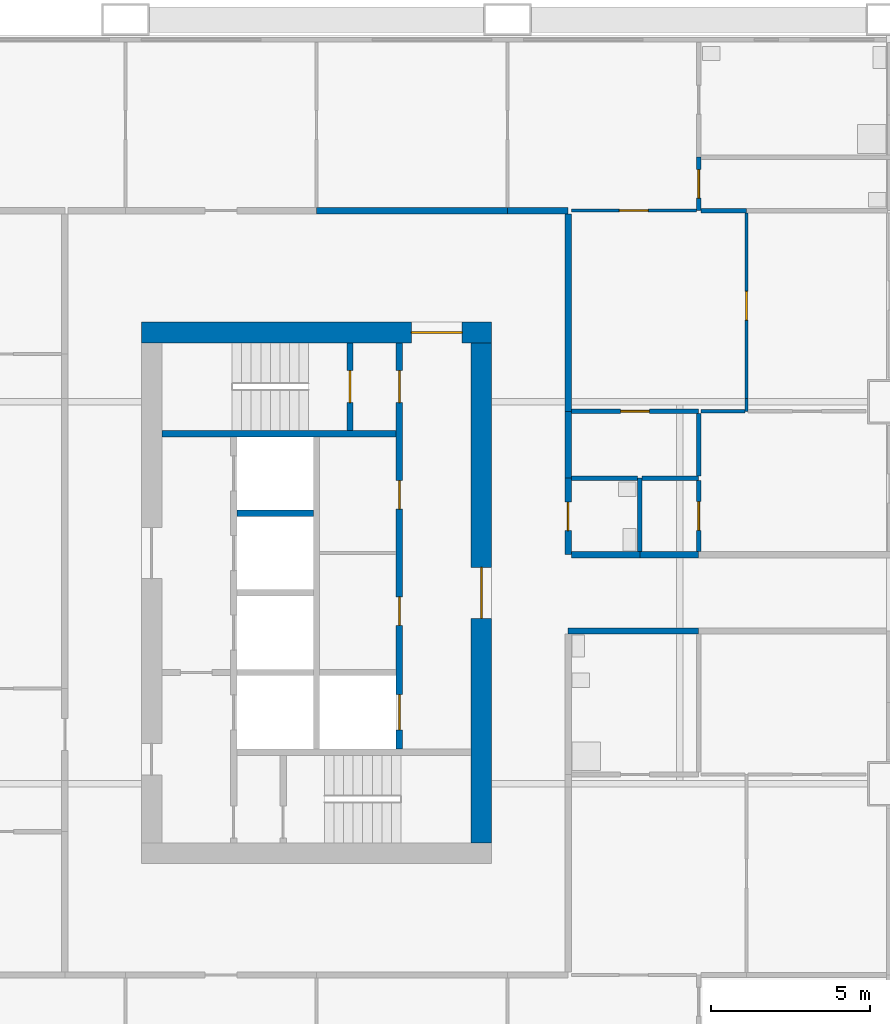
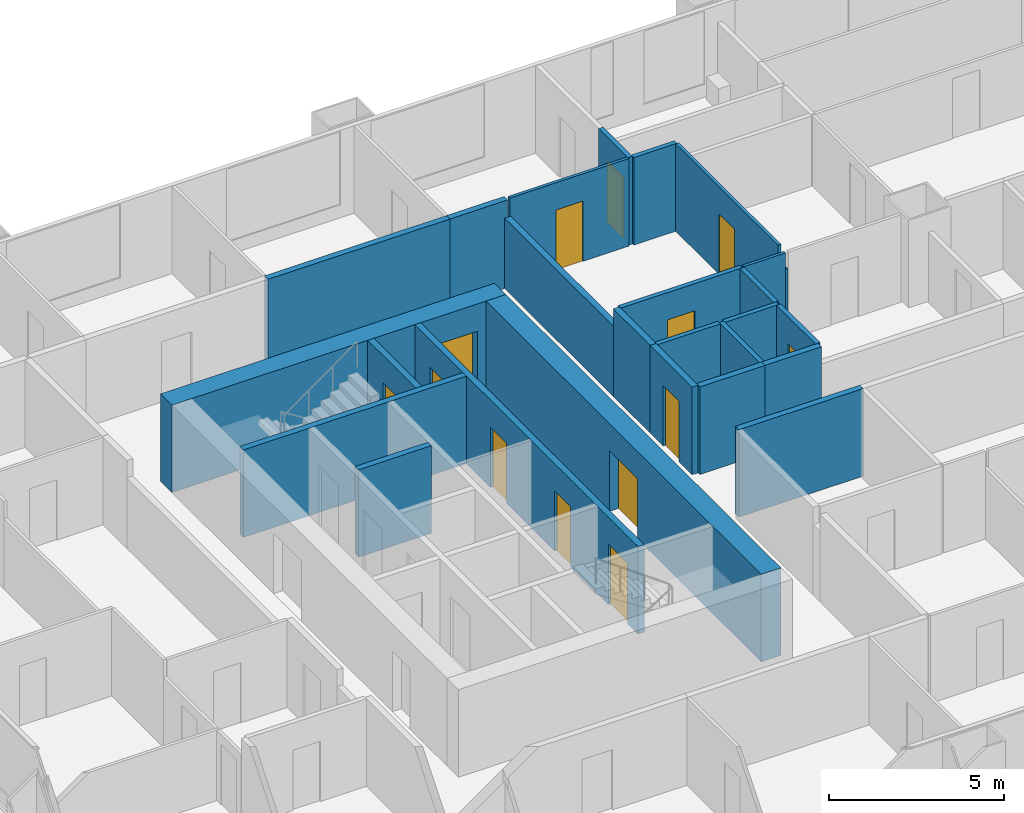
# One storey, part 4 of 11: 26 walls, 13 doors, 13 openings.
"""IFC4 building model written with IfcOpenShell, lengths in metres."""

from ifc_helpers import new_model, si_unit, direction, frame, frame_2d, origin, place, context, subcontext, project, spatial, rectangle, extrude, material, layer, layer_set, type_object, element, fill, save


model = new_model("IFC4")

# Units and contexts
model_context = context("Model", 3, precision=1e-05, world=origin(), true_north=direction((0.0, 1.0)))
body_context = subcontext(model_context, "Body", "Model", "MODEL_VIEW")
ifc_project = project(units=[si_unit("LENGTHUNIT", "METRE"), si_unit("AREAUNIT", "SQUARE_METRE"), si_unit("VOLUMEUNIT", "CUBIC_METRE"), si_unit("PLANEANGLEUNIT", "RADIAN"), si_unit("MASSUNIT", "GRAM", prefix="KILO")], contexts=[model_context])

# Site, building, storey
site_placement = place(None, origin())
site = spatial("IfcSite", under=ifc_project, at=site_placement, CompositionType="ELEMENT")
building_placement = place(site_placement, origin())
building = spatial("IfcBuilding", under=site, at=building_placement, Name="Kitamizu Gate Tower and Museum", CompositionType="ELEMENT")
storey_placement = place(building_placement, frame((0.0, 0.0, 103.5)))
storey = spatial("IfcBuildingStorey", under=building, at=storey_placement, Name="L26", CompositionType="ELEMENT", Elevation=103.5)

# Wall, opening, door
ifc_material_1 = material(Name="Concrete Fc60", Category="concrete")
ifc_layer_1 = layer(ifc_material_1, 0.64990234375)
ifc_layer_set_1 = layer_set([ifc_layer_1], Name="Concrete Fc60")
wall_type_1 = type_object("IfcWallType", Name="Core wall 650", PredefinedType="SHEAR", material=ifc_layer_set_1)
wall_1_placement = place(storey_placement, frame((12.5, 38.175048828125, 0.0), z_axis=(0.0, 0.0, 1.0), x_axis=(1.0, 0.0, 0.0)))
wall_1 = element("IfcWall", 1, at=wall_1_placement, inside=storey, type_object=wall_type_1, Name="Core wall WN", PredefinedType="SHEAR", context=body_context, shape_type="SweptSolid", body=[
    extrude(rectangle(XDim=11.0, YDim=0.64990234375, at=frame_2d((5.5, 0.0))), origin(), (0.0, 0.0, 1.0), 3.050048828125),
])
opening_1_placement = place(wall_1_placement, frame((8.47509765625, 0.0, 0.0)))
opening_1 = element("IfcOpeningElement", 2, at=opening_1_placement, cuts=wall_1, Name="Opening L26-063", PredefinedType="OPENING", context=body_context, shape_type="SweptSolid", body=[
    extrude(rectangle(XDim=1.60009765625, YDim=2.10009765625, at=frame_2d((0.800048828125, 1.050048828125))), frame((0.0, 0.3349609375, 0.0), z_axis=(0.0, -1.0, 0.0), x_axis=(1.0, 0.0, 0.0)), (0.0, 0.0, 1.0), 0.669921875),
])
ifc_material_2 = material(Name="Timber door set", Category="wood")
door_type_1 = type_object("IfcDoorType", Name="Entrance door 1600", OperationType="DOUBLE_DOOR_SINGLE_SWING", PredefinedType="DOOR", material=ifc_material_2)
door_1_placement = place(opening_1_placement, origin())
door_1 = element("IfcDoor", 3, at=door_1_placement, inside=storey, type_object=door_type_1, Name="Lobby door L26-063", OperationType="DOUBLE_DOOR_SINGLE_SWING", OverallHeight=2.10009765625, OverallWidth=1.60009765625, PredefinedType="DOOR", context=body_context, shape_type="SweptSolid", body=[
    extrude(rectangle(XDim=1.60009765625, YDim=2.10009765625, at=frame_2d((0.800048828125, 1.050048828125))), frame((0.0, 0.02490234375, 0.0), z_axis=(0.0, -1.0, 0.0), x_axis=(1.0, 0.0, 0.0)), (0.0, 0.0, 1.0), 0.050048828125),
])
fill(opening_1, door_1)

wall_2_placement = place(storey_placement, frame((23.175048828125, 22.14990234375, 0.0), z_axis=(0.0, 0.0, 1.0), x_axis=(0.0, 1.0, 0.0)))
wall_2 = element("IfcWall", 4, at=wall_2_placement, inside=storey, type_object=wall_type_1, Name="Core wall WARC", PredefinedType="SHEAR", context=body_context, shape_type="SweptSolid", body=[
    extrude(rectangle(XDim=15.7001953125, YDim=0.64990234375, at=frame_2d((7.85009765625, 0.0))), origin(), (0.0, 0.0, 1.0), 3.050048828125),
])
opening_2_placement = place(wall_2_placement, frame((7.050048828125, 0.0, 0.0)))
opening_2 = element("IfcOpeningElement", 5, at=opening_2_placement, cuts=wall_2, Name="Opening L26-064", PredefinedType="OPENING", context=body_context, shape_type="SweptSolid", body=[
    extrude(rectangle(XDim=1.60009765625, YDim=2.10009765625, at=frame_2d((0.800048828125, 1.050048828125))), frame((0.0, 0.3349609375, 0.0), z_axis=(0.0, -1.0, 0.0), x_axis=(1.0, 0.0, 0.0)), (0.0, 0.0, 1.0), 0.669921875),
])
door_2_placement = place(opening_2_placement, origin())
door_2 = element("IfcDoor", 6, at=door_2_placement, inside=storey, type_object=door_type_1, Name="Lobby door L26-064", OperationType="DOUBLE_DOOR_SINGLE_SWING", OverallHeight=2.10009765625, OverallWidth=1.60009765625, PredefinedType="DOOR", context=body_context, shape_type="SweptSolid", body=[
    extrude(rectangle(XDim=1.60009765625, YDim=2.10009765625, at=frame_2d((0.800048828125, 1.050048828125))), frame((0.0, 0.02490234375, 0.0), z_axis=(0.0, -1.0, 0.0), x_axis=(1.0, 0.0, 0.0)), (0.0, 0.0, 1.0), 0.050048828125),
])
fill(opening_2, door_2)

ifc_material_3 = material(Name="Gypsum board on galvanised stud")
ifc_layer_2 = layer(ifc_material_3, 0.10009765625)
ifc_layer_set_2 = layer_set([ifc_layer_2], Name="Gypsum board on galvanised stud")
wall_type_2 = type_object("IfcWallType", Name="Partition 100 NOT RATED", PredefinedType="PARTITIONING", material=ifc_layer_set_2)
wall_3_placement = place(storey_placement, frame((26.0, 42.0, 0.0), z_axis=(0.0, 0.0, 1.0), x_axis=(1.0, 0.0, 0.0)))
wall_3 = element("IfcWall", 7, at=wall_3_placement, inside=storey, type_object=wall_type_2, Name="Partition L26-101", PredefinedType="PARTITIONING", context=body_context, shape_type="SweptSolid", body=[
    extrude(rectangle(XDim=3.925048828125, YDim=0.10009765625, at=frame_2d((1.96240234375, 0.0))), origin(), (0.0, 0.0, 1.0), 3.050048828125),
])
opening_3_placement = place(wall_3_placement, frame((1.512451171875, 0.0, 0.0)))
opening_3 = element("IfcOpeningElement", 8, at=opening_3_placement, cuts=wall_3, Name="Opening L26-042", PredefinedType="OPENING", context=body_context, shape_type="SweptSolid", body=[
    extrude(rectangle(XDim=0.89990234375, YDim=2.10009765625, at=frame_2d((0.449951171875, 1.050048828125))), frame((0.0, 0.06005859375, 0.0), z_axis=(0.0, -1.0, 0.0), x_axis=(1.0, 0.0, 0.0)), (0.0, 0.0, 1.0), 0.1201171875),
])
ifc_material_4 = material(Name="Timber door set", Category="wood")
door_type_2 = type_object("IfcDoorType", Name="Room door 900", OperationType="NOTDEFINED", PredefinedType="DOOR", material=ifc_material_4)
door_3_placement = place(opening_3_placement, origin())
door_3 = element("IfcDoor", 9, at=door_3_placement, inside=storey, type_object=door_type_2, Name="Door L26-042", OperationType="SINGLE_SWING_RIGHT", OverallHeight=2.10009765625, OverallWidth=0.89990234375, PredefinedType="DOOR", context=body_context, shape_type="SweptSolid", body=[
    extrude(rectangle(XDim=0.89990234375, YDim=2.10009765625, at=frame_2d((0.449951171875, 1.050048828125))), frame((0.0, 0.02490234375, 0.0), z_axis=(0.0, -1.0, 0.0), x_axis=(1.0, 0.0, 0.0)), (0.0, 0.0, 1.0), 0.050048828125),
])
fill(opening_3, door_3)

# Wall
wall_4_placement = place(storey_placement, frame((31.5, 35.699951171875, 0.0), z_axis=(0.0, 0.0, 1.0), x_axis=(0.0, 1.0, 0.0)))
element("IfcWall", 10, at=wall_4_placement, inside=storey, type_object=wall_type_2, Name="Partition L26-117", PredefinedType="PARTITIONING", context=body_context, shape_type="SweptSolid", body=[
    extrude(rectangle(XDim=0.400146484375, YDim=0.10009765625, at=frame_2d((0.2001953125, 0.0))), origin(), (0.0, 0.0, 1.0), 2.449951171875),
])

# Wall, opening, door
wall_5_placement = place(storey_placement, frame((31.5, 36.10009765625, 0.0), z_axis=(0.0, 0.0, 1.0), x_axis=(0.0, 1.0, 0.0)))
wall_5 = element("IfcWall", 11, at=wall_5_placement, inside=storey, type_object=wall_type_2, Name="Partition L26-118", PredefinedType="PARTITIONING", context=body_context, shape_type="SweptSolid", body=[
    extrude(rectangle(XDim=5.824951171875, YDim=0.10009765625, at=frame_2d((2.91259765625, 0.0))), origin(), (0.0, 0.0, 1.0), 3.050048828125),
])
opening_4_placement = place(wall_5_placement, frame((2.46240234375, 0.0, 0.0)))
opening_4 = element("IfcOpeningElement", 12, at=opening_4_placement, cuts=wall_5, Name="Opening L26-043", PredefinedType="OPENING", context=body_context, shape_type="SweptSolid", body=[
    extrude(rectangle(XDim=0.89990234375, YDim=2.10009765625, at=frame_2d((0.449951171875, 1.050048828125))), frame((0.0, 0.06005859375, 0.0), z_axis=(0.0, -1.0, 0.0), x_axis=(1.0, 0.0, 0.0)), (0.0, 0.0, 1.0), 0.1201171875),
])
door_4_placement = place(opening_4_placement, frame((0.89990234375, 0.0, 0.0), x_axis=(-1.0, 0.0, 0.0)))
door_4 = element("IfcDoor", 13, at=door_4_placement, inside=storey, type_object=door_type_2, Name="Door L26-043", OperationType="SINGLE_SWING_RIGHT", OverallHeight=2.10009765625, OverallWidth=0.89990234375, PredefinedType="DOOR", context=body_context, shape_type="SweptSolid", body=[
    extrude(rectangle(XDim=0.89990234375, YDim=2.10009765625, at=frame_2d((0.449951171875, 1.050048828125))), frame((0.0, 0.02490234375, 0.0), z_axis=(0.0, -1.0, 0.0), x_axis=(1.0, 0.0, 0.0)), (0.0, 0.0, 1.0), 0.050048828125),
])
fill(opening_4, door_4)

# Wall
wall_6_placement = place(storey_placement, frame((30.074951171875, 35.699951171875, 0.0), z_axis=(0.0, 0.0, 1.0), x_axis=(1.0, 0.0, 0.0)))
element("IfcWall", 14, at=wall_6_placement, inside=storey, type_object=wall_type_2, Name="Partition L26-120", PredefinedType="PARTITIONING", context=body_context, shape_type="SweptSolid", body=[
    extrude(rectangle(XDim=1.375, YDim=0.10009765625, at=frame_2d((0.6875, 0.0))), origin(), (0.0, 0.0, 1.0), 3.050048828125),
])

# Wall, opening, door
ifc_material_5 = material(Name="Gypsum board on galvanised stud")
ifc_layer_3 = layer(ifc_material_5, 0.14990234375)
ifc_layer_set_3 = layer_set([ifc_layer_3], Name="Gypsum board on galvanised stud")
wall_type_3 = type_object("IfcWallType", Name="Partition 150", PredefinedType="PARTITIONING", material=ifc_layer_set_3)
wall_7_placement = place(storey_placement, frame((30.0, 42.0, 0.0), z_axis=(0.0, 0.0, 1.0), x_axis=(0.0, 1.0, 0.0)))
wall_7 = element("IfcWall", 15, at=wall_7_placement, inside=storey, type_object=wall_type_3, Name="Partition L26-100", PredefinedType="PARTITIONING", context=body_context, shape_type="SweptSolid", body=[
    extrude(rectangle(XDim=1.679931640625, YDim=0.14990234375, at=frame_2d((0.83984375, 0.0))), origin(), (0.0, 0.0, 1.0), 3.050048828125),
])
opening_5_placement = place(wall_7_placement, frame((0.389892578125, 0.0, 0.0)))
opening_5 = element("IfcOpeningElement", 16, at=opening_5_placement, cuts=wall_7, Name="Opening L26-041", PredefinedType="OPENING", context=body_context, shape_type="SweptSolid", body=[
    extrude(rectangle(XDim=0.89990234375, YDim=2.10009765625, at=frame_2d((0.449951171875, 1.050048828125))), frame((0.0, 0.0849609375, 0.0), z_axis=(0.0, -1.0, 0.0), x_axis=(1.0, 0.0, 0.0)), (0.0, 0.0, 1.0), 0.169921875),
])
ifc_material_6 = material(Name="Timber door set", Category="wood")
door_type_3 = type_object("IfcDoorType", Name="Bathroom door 900", OperationType="NOTDEFINED", PredefinedType="DOOR", material=ifc_material_6)
door_5_placement = place(opening_5_placement, frame((0.89990234375, 0.0, 0.0), x_axis=(-1.0, 0.0, 0.0)))
door_5 = element("IfcDoor", 17, at=door_5_placement, inside=storey, type_object=door_type_3, Name="Bathroom door L26-041", OperationType="SINGLE_SWING_RIGHT", OverallHeight=2.10009765625, OverallWidth=0.89990234375, PredefinedType="DOOR", context=body_context, shape_type="SweptSolid", body=[
    extrude(rectangle(XDim=0.89990234375, YDim=2.10009765625, at=frame_2d((0.449951171875, 1.050048828125))), frame((0.0, 0.02490234375, 0.0), z_axis=(0.0, -1.0, 0.0), x_axis=(1.0, 0.0, 0.0)), (0.0, 0.0, 1.0), 0.050048828125),
])
fill(opening_5, door_5)

# Wall
wall_8_placement = place(storey_placement, frame((30.074951171875, 42.0, 0.0), z_axis=(0.0, 0.0, 1.0), x_axis=(1.0, 0.0, 0.0)))
element("IfcWall", 18, at=wall_8_placement, inside=storey, type_object=wall_type_3, Name="Partition L26-107", PredefinedType="PARTITIONING", context=body_context, shape_type="SweptSolid", body=[
    extrude(rectangle(XDim=1.425048828125, YDim=0.14990234375, at=frame_2d((0.71240234375, 0.0))), origin(), (0.0, 0.0, 1.0), 3.050048828125),
])

# Wall, opening, door
wall_9_placement = place(storey_placement, frame((26.0, 35.699951171875, 0.0), z_axis=(0.0, 0.0, 1.0), x_axis=(1.0, 0.0, 0.0)))
wall_9 = element("IfcWall", 19, at=wall_9_placement, inside=storey, type_object=wall_type_3, Name="Partition L26-119", PredefinedType="PARTITIONING", context=body_context, shape_type="SweptSolid", body=[
    extrude(rectangle(XDim=4.0, YDim=0.14990234375, at=frame_2d((2.0, 0.0))), origin(), (0.0, 0.0, 1.0), 3.050048828125),
])
opening_6_placement = place(wall_9_placement, frame((1.550048828125, 0.0, 0.0)))
opening_6 = element("IfcOpeningElement", 20, at=opening_6_placement, cuts=wall_9, Name="Opening L26-044", PredefinedType="OPENING", context=body_context, shape_type="SweptSolid", body=[
    extrude(rectangle(XDim=0.89990234375, YDim=2.10009765625, at=frame_2d((0.449951171875, 1.050048828125))), frame((0.0, 0.0849609375, 0.0), z_axis=(0.0, -1.0, 0.0), x_axis=(1.0, 0.0, 0.0)), (0.0, 0.0, 1.0), 0.169921875),
])
door_6_placement = place(opening_6_placement, frame((0.89990234375, 0.0, 0.0), x_axis=(-1.0, 0.0, 0.0)))
door_6 = element("IfcDoor", 21, at=door_6_placement, inside=storey, type_object=door_type_3, Name="Bathroom door L26-044", OperationType="SINGLE_SWING_LEFT", OverallHeight=2.10009765625, OverallWidth=0.89990234375, PredefinedType="DOOR", context=body_context, shape_type="SweptSolid", body=[
    extrude(rectangle(XDim=0.89990234375, YDim=2.10009765625, at=frame_2d((0.449951171875, 1.050048828125))), frame((0.0, 0.02490234375, 0.0), z_axis=(0.0, -1.0, 0.0), x_axis=(1.0, 0.0, 0.0)), (0.0, 0.0, 1.0), 0.050048828125),
])
fill(opening_6, door_6)

# Walls
wall_10_placement = place(storey_placement, frame((28.14990234375, 31.300048828125, 0.0), z_axis=(0.0, 0.0, 1.0), x_axis=(0.0, 1.0, 0.0)))
element("IfcWall", 22, at=wall_10_placement, inside=storey, type_object=wall_type_3, Name="Partition L26-124", PredefinedType="PARTITIONING", context=body_context, shape_type="SweptSolid", body=[
    extrude(rectangle(XDim=2.300048828125, YDim=0.14990234375, at=frame_2d((1.14990234375, 0.0))), origin(), (0.0, 0.0, 1.0), 3.050048828125),
])
wall_11_placement = place(storey_placement, frame((28.074951171875, 33.60009765625, 0.0), z_axis=(0.0, 0.0, 1.0), x_axis=(-1.0, 0.0, 0.0)))
element("IfcWall", 23, at=wall_11_placement, inside=storey, type_object=wall_type_3, Name="Partition L26-125", PredefinedType="PARTITIONING", context=body_context, shape_type="SweptSolid", body=[
    extrude(rectangle(XDim=2.074951171875, YDim=0.14990234375, at=frame_2d((1.03759765625, 0.0))), origin(), (0.0, 0.0, 1.0), 3.050048828125),
])
wall_12_placement = place(storey_placement, frame((30.0, 33.60009765625, 0.0), z_axis=(0.0, 0.0, 1.0), x_axis=(-1.0, 0.0, 0.0)))
element("IfcWall", 24, at=wall_12_placement, inside=storey, type_object=wall_type_3, Name="Partition L26-128", PredefinedType="PARTITIONING", context=body_context, shape_type="SweptSolid", body=[
    extrude(rectangle(XDim=1.77490234375, YDim=0.14990234375, at=frame_2d((0.887451171875, 0.0))), origin(), (0.0, 0.0, 1.0), 3.050048828125),
])

# Wall, opening, door
wall_13_placement = place(storey_placement, frame((30.0, 31.300048828125, 0.0), z_axis=(0.0, 0.0, 1.0), x_axis=(0.0, 1.0, 0.0)))
wall_13 = element("IfcWall", 25, at=wall_13_placement, inside=storey, type_object=wall_type_3, Name="Partition L26-129", PredefinedType="PARTITIONING", context=body_context, shape_type="SweptSolid", body=[
    extrude(rectangle(XDim=2.224853515625, YDim=0.14990234375, at=frame_2d((1.1123046875, 0.0))), origin(), (0.0, 0.0, 1.0), 3.050048828125),
])
opening_7_placement = place(wall_13_placement, frame((0.66259765625, 0.0, 0.0)))
opening_7 = element("IfcOpeningElement", 26, at=opening_7_placement, cuts=wall_13, Name="Opening L26-054", PredefinedType="OPENING", context=body_context, shape_type="SweptSolid", body=[
    extrude(rectangle(XDim=0.89990234375, YDim=2.10009765625, at=frame_2d((0.449951171875, 1.050048828125))), frame((0.0, 0.0849609375, 0.0), z_axis=(0.0, -1.0, 0.0), x_axis=(1.0, 0.0, 0.0)), (0.0, 0.0, 1.0), 0.169921875),
])
door_7_placement = place(opening_7_placement, origin())
door_7 = element("IfcDoor", 27, at=door_7_placement, inside=storey, type_object=door_type_3, Name="Bathroom door L26-054", OperationType="SINGLE_SWING_RIGHT", OverallHeight=2.10009765625, OverallWidth=0.89990234375, PredefinedType="DOOR", context=body_context, shape_type="SweptSolid", body=[
    extrude(rectangle(XDim=0.89990234375, YDim=2.10009765625, at=frame_2d((0.449951171875, 1.050048828125))), frame((0.0, 0.02490234375, 0.0), z_axis=(0.0, -1.0, 0.0), x_axis=(1.0, 0.0, 0.0)), (0.0, 0.0, 1.0), 0.050048828125),
])
fill(opening_7, door_7)

# Walls
wall_14_placement = place(storey_placement, frame((30.0, 33.675048828125, 0.0), z_axis=(0.0, 0.0, 1.0), x_axis=(0.0, 1.0, 0.0)))
element("IfcWall", 28, at=wall_14_placement, inside=storey, type_object=wall_type_3, Name="Partition L26-131", PredefinedType="PARTITIONING", context=body_context, shape_type="SweptSolid", body=[
    extrude(rectangle(XDim=1.949951171875, YDim=0.14990234375, at=frame_2d((0.97509765625, 0.0))), origin(), (0.0, 0.0, 1.0), 3.050048828125),
])
ifc_material_7 = material(Name="Gypsum board on galvanised stud")
ifc_layer_4 = layer(ifc_material_7, 0.199951171875)
ifc_layer_set_4 = layer_set([ifc_layer_4], Name="Gypsum board on galvanised stud")
wall_type_4 = type_object("IfcWallType", Name="Partition 200", PredefinedType="PARTITIONING", material=ifc_layer_set_4)
wall_15_placement = place(storey_placement, frame((30.0, 28.800048828125, 0.0), z_axis=(0.0, 0.0, 1.0), x_axis=(-1.0, 0.0, 0.0)))
element("IfcWall", 29, at=wall_15_placement, inside=storey, type_object=wall_type_4, Name="Partition L26-025", PredefinedType="PARTITIONING", context=body_context, shape_type="SweptSolid", body=[
    extrude(rectangle(XDim=4.10009765625, YDim=0.199951171875, at=frame_2d((2.050048828125, 0.0))), origin(), (0.0, 0.0, 1.0), 3.050048828125),
])
wall_16_placement = place(storey_placement, frame((18.0, 42.0, 0.0), z_axis=(0.0, 0.0, 1.0), x_axis=(1.0, 0.0, 0.0)))
element("IfcWall", 30, at=wall_16_placement, inside=storey, type_object=wall_type_4, Name="Partition L26-098", PredefinedType="PARTITIONING", context=body_context, shape_type="SweptSolid", body=[
    extrude(rectangle(XDim=6.0, YDim=0.199951171875, at=frame_2d((3.0, 0.0))), origin(), (0.0, 0.0, 1.0), 3.050048828125),
])
wall_17_placement = place(storey_placement, frame((24.0, 42.0, 0.0), z_axis=(0.0, 0.0, 1.0), x_axis=(1.0, 0.0, 0.0)))
element("IfcWall", 31, at=wall_17_placement, inside=storey, type_object=wall_type_4, Name="Partition L26-102", PredefinedType="PARTITIONING", context=body_context, shape_type="SweptSolid", body=[
    extrude(rectangle(XDim=1.89990234375, YDim=0.199951171875, at=frame_2d((0.949951171875, 0.0))), origin(), (0.0, 0.0, 1.0), 3.050048828125),
])
wall_18_placement = place(storey_placement, frame((25.89990234375, 41.89990234375, 0.0), z_axis=(0.0, 0.0, 1.0), x_axis=(0.0, -1.0, 0.0)))
element("IfcWall", 32, at=wall_18_placement, inside=storey, type_object=wall_type_4, Name="Partition L26-121", PredefinedType="PARTITIONING", context=body_context, shape_type="SweptSolid", body=[
    extrude(rectangle(XDim=6.199951171875, YDim=0.199951171875, at=frame_2d((3.10009765625, 0.0))), origin(), (0.0, 0.0, 1.0), 2.449951171875),
])

# Wall, opening, door
wall_19_placement = place(storey_placement, frame((25.89990234375, 33.60009765625, 0.0), z_axis=(0.0, 0.0, 1.0), x_axis=(0.0, -1.0, 0.0)))
wall_19 = element("IfcWall", 33, at=wall_19_placement, inside=storey, type_object=wall_type_4, Name="Partition L26-126", PredefinedType="PARTITIONING", context=body_context, shape_type="SweptSolid", body=[
    extrude(rectangle(XDim=2.400146484375, YDim=0.199951171875, at=frame_2d((1.2001953125, 0.0))), origin(), (0.0, 0.0, 1.0), 3.050048828125),
])
opening_8_placement = place(wall_19_placement, frame((0.75, 0.0, 0.0)))
opening_8 = element("IfcOpeningElement", 34, at=opening_8_placement, cuts=wall_19, Name="Opening L26-055", PredefinedType="OPENING", context=body_context, shape_type="SweptSolid", body=[
    extrude(rectangle(XDim=0.89990234375, YDim=2.10009765625, at=frame_2d((0.449951171875, 1.050048828125))), frame((0.0, 0.10986328125, 0.0), z_axis=(0.0, -1.0, 0.0), x_axis=(1.0, 0.0, 0.0)), (0.0, 0.0, 1.0), 0.219970703125),
])
ifc_material_8 = material(Name="Timber door set", Category="wood")
door_type_4 = type_object("IfcDoorType", Name="Store door 900", OperationType="NOTDEFINED", PredefinedType="DOOR", material=ifc_material_8)
door_8_placement = place(opening_8_placement, origin())
door_8 = element("IfcDoor", 35, at=door_8_placement, inside=storey, type_object=door_type_4, Name="Service entrance door L26-055", OperationType="SINGLE_SWING_LEFT", OverallHeight=2.10009765625, OverallWidth=0.89990234375, PredefinedType="DOOR", context=body_context, shape_type="SweptSolid", body=[
    extrude(rectangle(XDim=0.89990234375, YDim=2.10009765625, at=frame_2d((0.449951171875, 1.050048828125))), frame((0.0, 0.02490234375, 0.0), z_axis=(0.0, -1.0, 0.0), x_axis=(1.0, 0.0, 0.0)), (0.0, 0.0, 1.0), 0.050048828125),
])
fill(opening_8, door_8)

# Walls
wall_20_placement = place(storey_placement, frame((26.0, 31.199951171875, 0.0), z_axis=(0.0, 0.0, 1.0), x_axis=(1.0, 0.0, 0.0)))
element("IfcWall", 36, at=wall_20_placement, inside=storey, type_object=wall_type_4, Name="Partition L26-127", PredefinedType="PARTITIONING", context=body_context, shape_type="SweptSolid", body=[
    extrude(rectangle(XDim=2.14990234375, YDim=0.199951171875, at=frame_2d((1.074951171875, 0.0))), origin(), (0.0, 0.0, 1.0), 3.050048828125),
])
wall_21_placement = place(storey_placement, frame((28.14990234375, 31.199951171875, 0.0), z_axis=(0.0, 0.0, 1.0), x_axis=(1.0, 0.0, 0.0)))
element("IfcWall", 37, at=wall_21_placement, inside=storey, type_object=wall_type_4, Name="Partition L26-130", PredefinedType="PARTITIONING", context=body_context, shape_type="SweptSolid", body=[
    extrude(rectangle(XDim=1.85009765625, YDim=0.199951171875, at=frame_2d((0.925048828125, 0.0))), origin(), (0.0, 0.0, 1.0), 3.050048828125),
])
wall_22_placement = place(storey_placement, frame((25.89990234375, 35.699951171875, 0.0), z_axis=(0.0, 0.0, 1.0), x_axis=(0.0, -1.0, 0.0)))
element("IfcWall", 38, at=wall_22_placement, inside=storey, type_object=wall_type_4, Name="Partition L26-132", PredefinedType="PARTITIONING", context=body_context, shape_type="SweptSolid", body=[
    extrude(rectangle(XDim=2.099853515625, YDim=0.199951171875, at=frame_2d((1.0498046875, 0.0))), origin(), (0.0, 0.0, 1.0), 3.050048828125),
])

# Wall, openings, doors
ifc_material_9 = material(Name="Concrete Fc42", Category="concrete")
ifc_layer_5 = layer(ifc_material_9, 0.199951171875)
ifc_layer_set_5 = layer_set([ifc_layer_5], Name="Concrete Fc42")
wall_type_5 = type_object("IfcWallType", Name="Shaft wall 200", PredefinedType="SOLIDWALL", material=ifc_layer_set_5)
wall_23_placement = place(storey_placement, frame((20.60009765625, 25.10009765625, 0.0), z_axis=(0.0, 0.0, 1.0), x_axis=(0.0, 1.0, 0.0)))
wall_23 = element("IfcWall", 39, at=wall_23_placement, inside=storey, type_object=wall_type_5, Name="Shaft wall WEAST", PredefinedType="SOLIDWALL", context=body_context, shape_type="SweptSolid", body=[
    extrude(rectangle(XDim=12.75, YDim=0.199951171875, at=frame_2d((6.375, 0.0))), origin(), (0.0, 0.0, 1.0), 3.050048828125),
])
opening_9_placement = place(wall_23_placement, frame((0.60009765625, 0.0, 0.0)))
opening_9 = element("IfcOpeningElement", 40, at=opening_9_placement, cuts=wall_23, Name="Opening LD", PredefinedType="OPENING", context=body_context, shape_type="SweptSolid", body=[
    extrude(rectangle(XDim=1.10009765625, YDim=2.10009765625, at=frame_2d((0.550048828125, 1.050048828125))), frame((0.0, 0.10986328125, 0.0), z_axis=(0.0, -1.0, 0.0), x_axis=(1.0, 0.0, 0.0)), (0.0, 0.0, 1.0), 0.219970703125),
])
opening_10_placement = place(wall_23_placement, frame((10.875, 0.0, 0.0)))
opening_10 = element("IfcOpeningElement", 41, at=opening_10_placement, cuts=wall_23, Name="Opening L26-058", PredefinedType="OPENING", context=body_context, shape_type="SweptSolid", body=[
    extrude(rectangle(XDim=1.0, YDim=2.10009765625, at=frame_2d((0.5, 1.050048828125))), frame((0.0, 0.10986328125, 0.0), z_axis=(0.0, -1.0, 0.0), x_axis=(1.0, 0.0, 0.0)), (0.0, 0.0, 1.0), 0.219970703125),
])
opening_11_placement = place(wall_23_placement, frame((3.875, 0.0, 0.0)))
opening_11 = element("IfcOpeningElement", 42, at=opening_11_placement, cuts=wall_23, Name="Opening L26-065", PredefinedType="OPENING", context=body_context, shape_type="SweptSolid", body=[
    extrude(rectangle(XDim=0.89990234375, YDim=2.10009765625, at=frame_2d((0.449951171875, 1.050048828125))), frame((0.0, 0.10986328125, 0.0), z_axis=(0.0, -1.0, 0.0), x_axis=(1.0, 0.0, 0.0)), (0.0, 0.0, 1.0), 0.219970703125),
])
opening_12_placement = place(wall_23_placement, frame((7.52490234375, 0.0, 0.0)))
opening_12 = element("IfcOpeningElement", 43, at=opening_12_placement, cuts=wall_23, Name="Opening L26-066", PredefinedType="OPENING", context=body_context, shape_type="SweptSolid", body=[
    extrude(rectangle(XDim=0.89990234375, YDim=2.10009765625, at=frame_2d((0.449951171875, 1.050048828125))), frame((0.0, 0.10986328125, 0.0), z_axis=(0.0, -1.0, 0.0), x_axis=(1.0, 0.0, 0.0)), (0.0, 0.0, 1.0), 0.219970703125),
])
ifc_material_10 = material(Name="Hollow metal door set")
door_type_5 = type_object("IfcDoorType", Name="Fire door 1000", OperationType="NOTDEFINED", PredefinedType="DOOR", material=ifc_material_10)
door_9_placement = place(opening_10_placement, origin())
door_9 = element("IfcDoor", 44, at=door_9_placement, inside=storey, type_object=door_type_5, Name="Stair lobby door L26-058", OperationType="SINGLE_SWING_RIGHT", OverallHeight=2.10009765625, OverallWidth=1.0, PredefinedType="DOOR", context=body_context, shape_type="SweptSolid", body=[
    extrude(rectangle(XDim=1.0, YDim=2.10009765625, at=frame_2d((0.5, 1.050048828125))), frame((0.0, 0.02490234375, 0.0), z_axis=(0.0, -1.0, 0.0), x_axis=(1.0, 0.0, 0.0)), (0.0, 0.0, 1.0), 0.050048828125),
])
fill(opening_10, door_9)
ifc_material_11 = material(Name="Hollow metal door set")
door_type_6 = type_object("IfcDoorType", Name="Landing door 1100", OperationType="SLIDING_TO_LEFT", PredefinedType="DOOR", material=ifc_material_11)
door_10_placement = place(opening_9_placement, origin())
door_10 = element("IfcDoor", 45, at=door_10_placement, inside=storey, type_object=door_type_6, Name="Landing door WSV1", OperationType="SLIDING_TO_LEFT", OverallHeight=2.10009765625, OverallWidth=1.10009765625, PredefinedType="DOOR", context=body_context, shape_type="SweptSolid", body=[
    extrude(rectangle(XDim=1.10009765625, YDim=2.10009765625, at=frame_2d((0.550048828125, 1.050048828125))), frame((0.0, 0.02490234375, 0.0), z_axis=(0.0, -1.0, 0.0), x_axis=(1.0, 0.0, 0.0)), (0.0, 0.0, 1.0), 0.050048828125),
])
fill(opening_9, door_10)
ifc_material_12 = material(Name="Timber door set", Category="wood")
door_type_7 = type_object("IfcDoorType", Name="Service door 900", OperationType="NOTDEFINED", PredefinedType="DOOR", material=ifc_material_12)
door_11_placement = place(opening_11_placement, origin())
door_11 = element("IfcDoor", 46, at=door_11_placement, inside=storey, type_object=door_type_7, Name="Service door L26-065", OperationType="SINGLE_SWING_RIGHT", OverallHeight=2.10009765625, OverallWidth=0.89990234375, PredefinedType="DOOR", context=body_context, shape_type="SweptSolid", body=[
    extrude(rectangle(XDim=0.89990234375, YDim=2.10009765625, at=frame_2d((0.449951171875, 1.050048828125))), frame((0.0, 0.02490234375, 0.0), z_axis=(0.0, -1.0, 0.0), x_axis=(1.0, 0.0, 0.0)), (0.0, 0.0, 1.0), 0.050048828125),
])
fill(opening_11, door_11)
door_12_placement = place(opening_12_placement, origin())
door_12 = element("IfcDoor", 47, at=door_12_placement, inside=storey, type_object=door_type_7, Name="Service door L26-066", OperationType="SINGLE_SWING_LEFT", OverallHeight=2.10009765625, OverallWidth=0.89990234375, PredefinedType="DOOR", context=body_context, shape_type="SweptSolid", body=[
    extrude(rectangle(XDim=0.89990234375, YDim=2.10009765625, at=frame_2d((0.449951171875, 1.050048828125))), frame((0.0, 0.02490234375, 0.0), z_axis=(0.0, -1.0, 0.0), x_axis=(1.0, 0.0, 0.0)), (0.0, 0.0, 1.0), 0.050048828125),
])
fill(opening_12, door_12)

# Wall
wall_24_placement = place(storey_placement, frame((13.14990234375, 35.0, 0.0), z_axis=(0.0, 0.0, 1.0), x_axis=(1.0, 0.0, 0.0)))
element("IfcWall", 48, at=wall_24_placement, inside=storey, type_object=wall_type_5, Name="Shaft wall WNB", PredefinedType="SOLIDWALL", context=body_context, shape_type="SweptSolid", body=[
    extrude(rectangle(XDim=7.35009765625, YDim=0.199951171875, at=frame_2d((3.675048828125, 0.0))), origin(), (0.0, 0.0, 1.0), 3.050048828125),
])

# Wall, opening, door
wall_25_placement = place(storey_placement, frame((19.050048828125, 35.10009765625, 0.0), z_axis=(0.0, 0.0, 1.0), x_axis=(0.0, 1.0, 0.0)))
wall_25 = element("IfcWall", 49, at=wall_25_placement, inside=storey, type_object=wall_type_5, Name="Shaft wall WNZ", PredefinedType="SOLIDWALL", context=body_context, shape_type="SweptSolid", body=[
    extrude(rectangle(XDim=2.75, YDim=0.199951171875, at=frame_2d((1.375, 0.0))), origin(), (0.0, 0.0, 1.0), 3.050048828125),
])
opening_13_placement = place(wall_25_placement, frame((0.875, 0.0, 0.0)))
opening_13 = element("IfcOpeningElement", 50, at=opening_13_placement, cuts=wall_25, Name="Opening L26-059", PredefinedType="OPENING", context=body_context, shape_type="SweptSolid", body=[
    extrude(rectangle(XDim=1.0, YDim=2.10009765625, at=frame_2d((0.5, 1.050048828125))), frame((0.0, 0.10986328125, 0.0), z_axis=(0.0, -1.0, 0.0), x_axis=(1.0, 0.0, 0.0)), (0.0, 0.0, 1.0), 0.219970703125),
])
door_13_placement = place(opening_13_placement, origin())
door_13 = element("IfcDoor", 51, at=door_13_placement, inside=storey, type_object=door_type_5, Name="Stair door L26-059", OperationType="SINGLE_SWING_LEFT", OverallHeight=2.10009765625, OverallWidth=1.0, PredefinedType="DOOR", context=body_context, shape_type="SweptSolid", body=[
    extrude(rectangle(XDim=1.0, YDim=2.10009765625, at=frame_2d((0.5, 1.050048828125))), frame((0.0, 0.02490234375, 0.0), z_axis=(0.0, -1.0, 0.0), x_axis=(1.0, 0.0, 0.0)), (0.0, 0.0, 1.0), 0.050048828125),
])
fill(opening_13, door_13)

# Wall
wall_26_placement = place(storey_placement, frame((15.5, 32.5, 0.0), z_axis=(0.0, 0.0, 1.0), x_axis=(1.0, 0.0, 0.0)))
element("IfcWall", 52, at=wall_26_placement, inside=storey, type_object=wall_type_5, Name="Shaft wall WDVW2", PredefinedType="SOLIDWALL", context=body_context, shape_type="SweptSolid", body=[
    extrude(rectangle(XDim=2.39990234375, YDim=0.199951171875, at=frame_2d((1.199951171875, 0.0))), origin(), (0.0, 0.0, 1.0), 3.050048828125),
])

save(model, "model.ifc")
